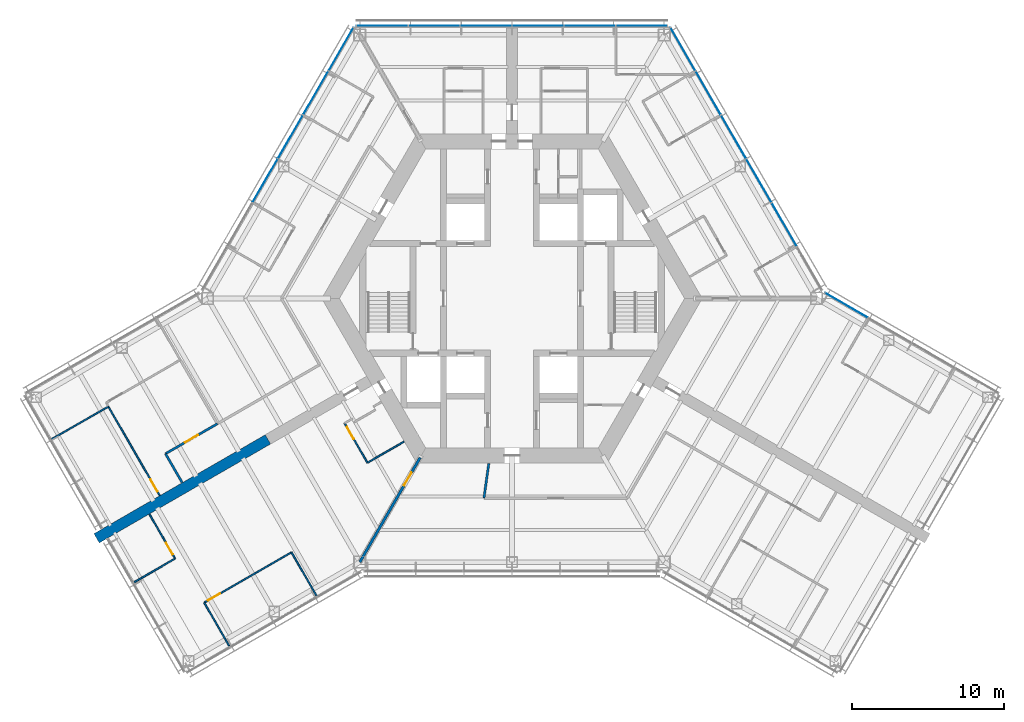
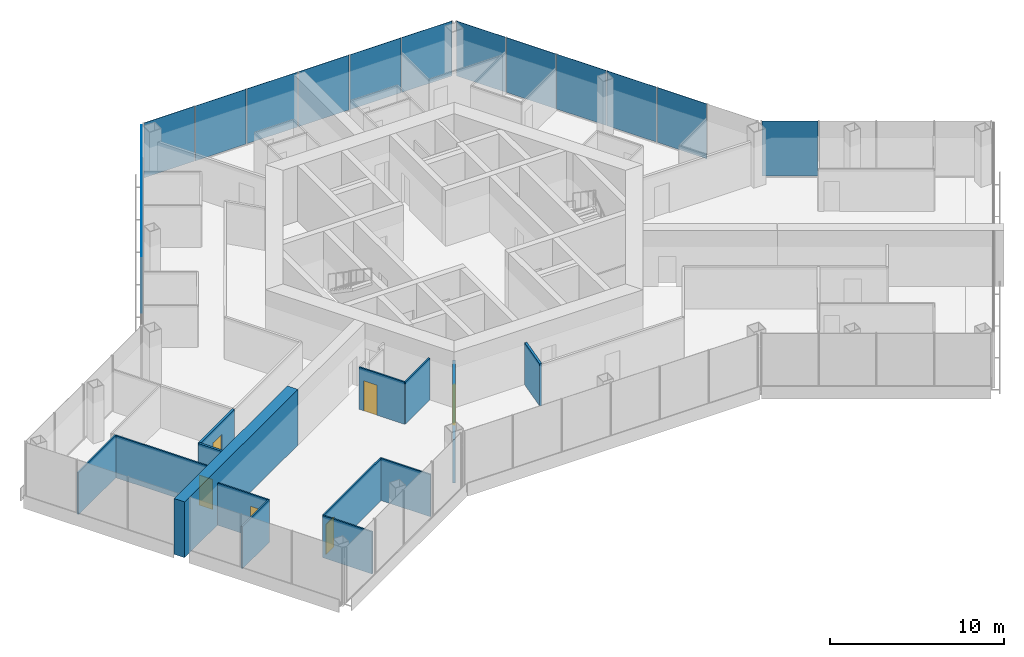
# One storey, part 11 of 18: 16 plates, 14 walls, 6 doors, 6 openings, 4 elements without a shape of their own.
"""IFC4 building model written with IfcOpenShell, lengths in metres."""

from ifc_helpers import new_model, si_unit, direction, frame, frame_2d, origin, origin_2d, place, context, subcontext, project, spatial, rectangle, extrude, material, layer, layer_set, type_object, element, fill, aggregate, save


model = new_model("IFC4")

# Units and contexts
model_context = context("Model", 3, precision=1e-05, world=origin(), true_north=direction((0.0, 1.0)))
body_context = subcontext(model_context, "Body", "Model", "MODEL_VIEW")
ifc_project = project(units=[si_unit("LENGTHUNIT", "METRE"), si_unit("AREAUNIT", "SQUARE_METRE"), si_unit("VOLUMEUNIT", "CUBIC_METRE"), si_unit("PLANEANGLEUNIT", "RADIAN"), si_unit("MASSUNIT", "GRAM", prefix="KILO")], contexts=[model_context])

# Site, building, storey
site_placement = place(None, origin())
site = spatial("IfcSite", under=ifc_project, at=site_placement, CompositionType="ELEMENT")
building_placement = place(site_placement, origin())
building = spatial("IfcBuilding", under=site, at=building_placement, Name="Kasaneha Research Tower", CompositionType="ELEMENT")
storey_placement = place(building_placement, frame((0.0, 0.0, 152.60009765625)))
storey = spatial("IfcBuildingStorey", under=building, at=storey_placement, Name="L38", CompositionType="ELEMENT", Elevation=152.60009765625)

# Curtain wall, plate
ifc_material_1 = material(Name="Glass and aluminium", Category="aluminium")
curtain_wall_type = type_object("IfcCurtainWallType", Name="Mid-rise office curtain wall", PredefinedType="USERDEFINED", material=ifc_material_1)
curtain_wall_1_placement = place(storey_placement, origin())
curtain_wall_1 = element("IfcCurtainWall", 1, at=curtain_wall_1_placement, inside=storey, type_object=curtain_wall_type, Name="CW-O2 L38 run 05a", ObjectType="UNITISED CURTAIN WALL", PredefinedType="USERDEFINED")
ifc_material_2 = material(Name="Laminated double glazing", Category="glass")
ifc_layer_1 = layer(ifc_material_2, 0.02587890625)
ifc_layer_set_1 = layer_set([ifc_layer_1], Name="CW-O2 glazed panel")
plate_type = type_object("IfcPlateType", Name="CW-O2 glazed panel", PredefinedType="CURTAIN_PANEL", material=ifc_layer_set_1)
plate_1_placement = place(storey_placement, frame((21.971923828125, -0.44580078125, 0.06005859375), z_axis=(0.0, 0.0, 1.0), x_axis=(-0.866025411464, 0.499999986699, 0.0)))
plate_1 = element("IfcPlate", 2, at=plate_1_placement, type_object=plate_type, Name="CW-O2 panel 4", PredefinedType="CURTAIN_PANEL", context=body_context, shape_type="SweptSolid", body=[
    extrude(rectangle(XDim=3.2197265625, YDim=0.02587890625, at=origin_2d()), origin(), (0.0, 0.0, 1.0), 3.840087890625),
])
aggregate(curtain_wall_1, [plate_1])

# Curtain wall, plates
curtain_wall_2_placement = place(storey_placement, origin())
curtain_wall_2 = element("IfcCurtainWall", 3, at=curtain_wall_2_placement, inside=storey, type_object=curtain_wall_type, Name="CW-O2 L38 run 06a", ObjectType="UNITISED CURTAIN WALL", PredefinedType="USERDEFINED")
plate_2_placement = place(storey_placement, frame((17.89111328125, 4.852783203125, 0.06005859375), z_axis=(0.0, 0.0, 1.0), x_axis=(-0.499999979232, 0.866025415775, 0.0)))
plate_2 = element("IfcPlate", 4, at=plate_2_placement, type_object=plate_type, Name="CW-O2 panel 2", PredefinedType="CURTAIN_PANEL", context=body_context, shape_type="SweptSolid", body=[
    extrude(rectangle(XDim=3.27099609375, YDim=0.02587890625, at=origin_2d()), origin(), (0.0, 0.0, 1.0), 3.840087890625),
])
plate_3_placement = place(storey_placement, frame((16.2255859375, 7.737548828125, 0.06005859375), z_axis=(0.0, 0.0, 1.0), x_axis=(-0.499999979232, 0.866025415775, 0.0)))
plate_3 = element("IfcPlate", 5, at=plate_3_placement, type_object=plate_type, Name="CW-O2 panel 3", PredefinedType="CURTAIN_PANEL", context=body_context, shape_type="SweptSolid", body=[
    extrude(rectangle(XDim=3.27099609375, YDim=0.02587890625, at=origin_2d()), origin(), (0.0, 0.0, 1.0), 3.840087890625),
])
plate_4_placement = place(storey_placement, frame((14.56005859375, 10.622314453125, 0.06005859375), z_axis=(0.0, 0.0, 1.0), x_axis=(-0.499999979232, 0.866025415775, 0.0)))
plate_4 = element("IfcPlate", 6, at=plate_4_placement, type_object=plate_type, Name="CW-O2 panel 4", PredefinedType="CURTAIN_PANEL", context=body_context, shape_type="SweptSolid", body=[
    extrude(rectangle(XDim=3.27099609375, YDim=0.02587890625, at=origin_2d()), origin(), (0.0, 0.0, 1.0), 3.840087890625),
])
plate_5_placement = place(storey_placement, frame((12.89453125, 13.5068359375, 0.06005859375), z_axis=(0.0, 0.0, 1.0), x_axis=(-0.499999979232, 0.866025415775, 0.0)))
plate_5 = element("IfcPlate", 7, at=plate_5_placement, type_object=plate_type, Name="CW-O2 panel 5", PredefinedType="CURTAIN_PANEL", context=body_context, shape_type="SweptSolid", body=[
    extrude(rectangle(XDim=3.27099609375, YDim=0.02587890625, at=origin_2d()), origin(), (0.0, 0.0, 1.0), 3.840087890625),
])
plate_6_placement = place(storey_placement, frame((11.236572265625, 16.378662109375, 0.06005859375), z_axis=(0.0, 0.0, 1.0), x_axis=(-0.499999979232, 0.866025415775, 0.0)))
plate_6 = element("IfcPlate", 8, at=plate_6_placement, type_object=plate_type, Name="CW-O2 panel 6", PredefinedType="CURTAIN_PANEL", context=body_context, shape_type="SweptSolid", body=[
    extrude(rectangle(XDim=3.240966796875, YDim=0.02587890625, at=origin_2d()), origin(), (0.0, 0.0, 1.0), 3.840087890625),
])
aggregate(curtain_wall_2, [plate_2, plate_3, plate_4, plate_5, plate_6])

curtain_wall_3_placement = place(storey_placement, origin())
curtain_wall_3 = element("IfcCurtainWall", 9, at=curtain_wall_3_placement, inside=storey, type_object=curtain_wall_type, Name="CW-O2 L38 run 07a", ObjectType="UNITISED CURTAIN WALL", PredefinedType="USERDEFINED")
plate_7_placement = place(storey_placement, frame((8.523681640625, 17.92041015625, 0.06005859375), z_axis=(0.0, 0.0, 1.0), x_axis=(-1.0, 0.0, 0.0)))
plate_7 = element("IfcPlate", 10, at=plate_7_placement, type_object=plate_type, Name="CW-O2 panel 1", PredefinedType="CURTAIN_PANEL", context=body_context, shape_type="SweptSolid", body=[
    extrude(rectangle(XDim=3.325439453125, YDim=0.02587890625, at=origin_2d()), origin(), (0.0, 0.0, 1.0), 3.840087890625),
])
plate_8_placement = place(storey_placement, frame((5.123291015625, 17.92041015625, 0.06005859375), z_axis=(0.0, 0.0, 1.0), x_axis=(-1.0, 0.0, 0.0)))
plate_8 = element("IfcPlate", 11, at=plate_8_placement, type_object=plate_type, Name="CW-O2 panel 2", PredefinedType="CURTAIN_PANEL", context=body_context, shape_type="SweptSolid", body=[
    extrude(rectangle(XDim=3.35546875, YDim=0.02587890625, at=origin_2d()), origin(), (0.0, 0.0, 1.0), 3.840087890625),
])
plate_9_placement = place(storey_placement, frame((1.707763671875, 17.92041015625, 0.06005859375), z_axis=(0.0, 0.0, 1.0), x_axis=(-1.0, 0.0, 0.0)))
plate_9 = element("IfcPlate", 12, at=plate_9_placement, type_object=plate_type, Name="CW-O2 panel 3", PredefinedType="CURTAIN_PANEL", context=body_context, shape_type="SweptSolid", body=[
    extrude(rectangle(XDim=3.35546875, YDim=0.02587890625, at=origin_2d()), origin(), (0.0, 0.0, 1.0), 3.840087890625),
])
plate_10_placement = place(storey_placement, frame((-1.707763671875, 17.92041015625, 0.06005859375), z_axis=(0.0, 0.0, 1.0), x_axis=(-1.0, 0.0, 0.0)))
plate_10 = element("IfcPlate", 13, at=plate_10_placement, type_object=plate_type, Name="CW-O2 panel 4", PredefinedType="CURTAIN_PANEL", context=body_context, shape_type="SweptSolid", body=[
    extrude(rectangle(XDim=3.35546875, YDim=0.02587890625, at=origin_2d()), origin(), (0.0, 0.0, 1.0), 3.840087890625),
])
plate_11_placement = place(storey_placement, frame((-5.123291015625, 17.92041015625, 0.06005859375), z_axis=(0.0, 0.0, 1.0), x_axis=(-1.0, 0.0, 0.0)))
plate_11 = element("IfcPlate", 14, at=plate_11_placement, type_object=plate_type, Name="CW-O2 panel 5", PredefinedType="CURTAIN_PANEL", context=body_context, shape_type="SweptSolid", body=[
    extrude(rectangle(XDim=3.35546875, YDim=0.02587890625, at=origin_2d()), origin(), (0.0, 0.0, 1.0), 3.840087890625),
])
plate_12_placement = place(storey_placement, frame((-8.523681640625, 17.92041015625, 0.06005859375), z_axis=(0.0, 0.0, 1.0), x_axis=(-1.0, 0.0, 0.0)))
plate_12 = element("IfcPlate", 15, at=plate_12_placement, type_object=plate_type, Name="CW-O2 panel 6", PredefinedType="CURTAIN_PANEL", context=body_context, shape_type="SweptSolid", body=[
    extrude(rectangle(XDim=3.325439453125, YDim=0.02587890625, at=origin_2d()), origin(), (0.0, 0.0, 1.0), 3.840087890625),
])
aggregate(curtain_wall_3, [plate_7, plate_8, plate_9, plate_10, plate_11, plate_12])

curtain_wall_4_placement = place(storey_placement, origin())
curtain_wall_4 = element("IfcCurtainWall", 16, at=curtain_wall_4_placement, inside=storey, type_object=curtain_wall_type, Name="CW-O2 L38 run 08a", ObjectType="UNITISED CURTAIN WALL", PredefinedType="USERDEFINED")
plate_13_placement = place(storey_placement, frame((-11.236572265625, 16.378662109375, 0.06005859375), z_axis=(0.0, 0.0, 1.0), x_axis=(-0.499999979232, -0.866025415775, 0.0)))
plate_13 = element("IfcPlate", 17, at=plate_13_placement, type_object=plate_type, Name="CW-O2 panel 1", PredefinedType="CURTAIN_PANEL", context=body_context, shape_type="SweptSolid", body=[
    extrude(rectangle(XDim=3.240966796875, YDim=0.02587890625, at=origin_2d()), origin(), (0.0, 0.0, 1.0), 3.840087890625),
])
plate_14_placement = place(storey_placement, frame((-12.89453125, 13.5068359375, 0.06005859375), z_axis=(0.0, 0.0, 1.0), x_axis=(-0.499999979232, -0.866025415775, 0.0)))
plate_14 = element("IfcPlate", 18, at=plate_14_placement, type_object=plate_type, Name="CW-O2 panel 2", PredefinedType="CURTAIN_PANEL", context=body_context, shape_type="SweptSolid", body=[
    extrude(rectangle(XDim=3.27099609375, YDim=0.02587890625, at=origin_2d()), origin(), (0.0, 0.0, 1.0), 3.840087890625),
])
plate_15_placement = place(storey_placement, frame((-14.56005859375, 10.622314453125, 0.06005859375), z_axis=(0.0, 0.0, 1.0), x_axis=(-0.499999979232, -0.866025415775, 0.0)))
plate_15 = element("IfcPlate", 19, at=plate_15_placement, type_object=plate_type, Name="CW-O2 panel 3", PredefinedType="CURTAIN_PANEL", context=body_context, shape_type="SweptSolid", body=[
    extrude(rectangle(XDim=3.27099609375, YDim=0.02587890625, at=origin_2d()), origin(), (0.0, 0.0, 1.0), 3.840087890625),
])
plate_16_placement = place(storey_placement, frame((-16.2255859375, 7.737548828125, 0.06005859375), z_axis=(0.0, 0.0, 1.0), x_axis=(-0.499999979232, -0.866025415775, 0.0)))
plate_16 = element("IfcPlate", 20, at=plate_16_placement, type_object=plate_type, Name="CW-O2 panel 4", PredefinedType="CURTAIN_PANEL", context=body_context, shape_type="SweptSolid", body=[
    extrude(rectangle(XDim=3.27099609375, YDim=0.02587890625, at=origin_2d()), origin(), (0.0, 0.0, 1.0), 3.840087890625),
])
aggregate(curtain_wall_4, [plate_13, plate_14, plate_15, plate_16])

# Wall
ifc_material_3 = material(Name="Gypsum board on steel studs, one layer each side", Category="steel")
ifc_layer_2 = layer(ifc_material_3, 0.10009765625)
ifc_layer_set_2 = layer_set([ifc_layer_2], Name="Office partition 100")
wall_type_1 = type_object("IfcWallType", Name="Office partition 100", PredefinedType="PARTITIONING", material=ifc_layer_set_2)
wall_1_placement = place(storey_placement, frame((-30.254150390625, -9.24951171875, 0.0), z_axis=(0.0, 0.0, 1.0), x_axis=(0.866678925358, 0.49886635519, 0.0)))
element("IfcWall", 21, at=wall_1_placement, inside=storey, type_object=wall_type_1, Name="Office partition FBN10 L38", PredefinedType="PARTITIONING", context=body_context, shape_type="SweptSolid", body=[
    extrude(rectangle(XDim=4.30517578125, YDim=0.10009765625, at=frame_2d((2.152587890625, 0.0))), origin(), (0.0, 0.0, 1.0), 2.949951171875),
])

# Wall, opening, door
wall_2_placement = place(storey_placement, frame((-26.529296875, -7.09912109375, 0.0), z_axis=(0.0, 0.0, 1.0), x_axis=(0.500544055966, -0.865711064985, 0.0)))
wall_2 = element("IfcWall", 22, at=wall_2_placement, inside=storey, type_object=wall_type_1, Name="Office partition FBN11 L38", PredefinedType="PARTITIONING", context=body_context, shape_type="SweptSolid", body=[
    extrude(rectangle(XDim=6.74658203125, YDim=0.10009765625, at=frame_2d((3.373291015625, 0.0))), origin(), (0.0, 0.0, 1.0), 2.949951171875),
])
opening_1_placement = place(wall_2_placement, frame((5.546630859375, 0.0, 0.0)))
opening_1 = element("IfcOpeningElement", 23, at=opening_1_placement, cuts=wall_2, Name="Opening L38-D37", PredefinedType="OPENING", context=body_context, shape_type="SweptSolid", body=[
    extrude(rectangle(XDim=0.89990234375, YDim=2.10009765625, at=frame_2d((0.449951171875, 1.050048828125))), frame((0.0, 0.06005859375, 0.0), z_axis=(0.0, -1.0, 0.0), x_axis=(1.0, 0.0, 0.0)), (0.0, 0.0, 1.0), 0.1201171875),
])
ifc_material_4 = material(Name="Timber veneer", Category="wood")
door_type_1 = type_object("IfcDoorType", Name="Office door 900x2100", OperationType="SINGLE_SWING_LEFT", PredefinedType="DOOR", material=ifc_material_4)
door_1_placement = place(opening_1_placement, origin())
door_1 = element("IfcDoor", 24, at=door_1_placement, inside=storey, type_object=door_type_1, Name="Meeting room door L38-D37", OperationType="SINGLE_SWING_RIGHT", OverallHeight=2.10009765625, OverallWidth=0.89990234375, PredefinedType="DOOR", context=body_context, shape_type="SweptSolid", body=[
    extrude(rectangle(XDim=0.89990234375, YDim=2.10009765625, at=frame_2d((0.449951171875, 1.050048828125))), frame((0.0, 0.02490234375, 0.0), z_axis=(0.0, -1.0, 0.0), x_axis=(1.0, 0.0, 0.0)), (0.0, 0.0, 1.0), 0.050048828125),
])
fill(opening_1, door_1)

wall_3_placement = place(storey_placement, frame((-9.49951171875, -10.796142578125, 0.0), z_axis=(0.0, 0.0, 1.0), x_axis=(-0.499990139034, 0.866031096941, 0.0)))
wall_3 = element("IfcWall", 25, at=wall_3_placement, inside=storey, type_object=wall_type_1, Name="Office partition FBS03 L38", PredefinedType="PARTITIONING", context=body_context, shape_type="SweptSolid", body=[
    extrude(rectangle(XDim=3.0, YDim=0.10009765625, at=frame_2d((1.5, 0.0))), origin(), (0.0, 0.0, 1.0), 2.949951171875),
])
opening_2_placement = place(wall_3_placement, frame((1.800048828125, 0.0, 0.0)))
opening_2 = element("IfcOpeningElement", 26, at=opening_2_placement, cuts=wall_3, Name="Opening L38-D40", PredefinedType="OPENING", context=body_context, shape_type="SweptSolid", body=[
    extrude(rectangle(XDim=0.89990234375, YDim=2.10009765625, at=frame_2d((0.449951171875, 1.050048828125))), frame((0.0, 0.06005859375, 0.0), z_axis=(0.0, -1.0, 0.0), x_axis=(1.0, 0.0, 0.0)), (0.0, 0.0, 1.0), 0.1201171875),
])
door_2_placement = place(opening_2_placement, origin())
door_2 = element("IfcDoor", 27, at=door_2_placement, inside=storey, type_object=door_type_1, Name="Pantry door L38-D40", OperationType="SINGLE_SWING_RIGHT", OverallHeight=2.10009765625, OverallWidth=0.89990234375, PredefinedType="DOOR", context=body_context, shape_type="SweptSolid", body=[
    extrude(rectangle(XDim=0.89990234375, YDim=2.10009765625, at=frame_2d((0.449951171875, 1.050048828125))), frame((0.0, 0.02490234375, 0.0), z_axis=(0.0, -1.0, 0.0), x_axis=(1.0, 0.0, 0.0)), (0.0, 0.0, 1.0), 0.050048828125),
])
fill(opening_2, door_2)

# Wall
wall_4_placement = place(storey_placement, frame((-7.092041015625, -9.40625, 0.0), z_axis=(0.0, 0.0, 1.0), x_axis=(-0.86603494908, -0.499983466698, 0.0)))
element("IfcWall", 28, at=wall_4_placement, inside=storey, type_object=wall_type_1, Name="Office partition FBS05 L38", PredefinedType="PARTITIONING", context=body_context, shape_type="SweptSolid", body=[
    extrude(rectangle(XDim=2.77978515625, YDim=0.10009765625, at=frame_2d((1.389892578125, 0.0))), origin(), (0.0, 0.0, 1.0), 2.949951171875),
])

# Wall, opening, door
wall_5_placement = place(storey_placement, frame((-20.22509765625, -19.99072265625, 0.0), z_axis=(0.0, 0.0, 1.0), x_axis=(0.866030817826, 0.499990622488, 0.0)))
wall_5 = element("IfcWall", 29, at=wall_5_placement, inside=storey, type_object=wall_type_1, Name="Office partition FBS06 L38", PredefinedType="PARTITIONING", context=body_context, shape_type="SweptSolid", body=[
    extrude(rectangle(XDim=6.619873046875, YDim=0.10009765625, at=frame_2d((3.31005859375, 0.0))), origin(), (0.0, 0.0, 1.0), 2.949951171875),
])
opening_3_placement = place(wall_5_placement, frame((0.300048828125, 0.0, 0.0)))
opening_3 = element("IfcOpeningElement", 30, at=opening_3_placement, cuts=wall_5, Name="Opening L38-D41", PredefinedType="OPENING", context=body_context, shape_type="SweptSolid", body=[
    extrude(rectangle(XDim=0.89990234375, YDim=2.10009765625, at=frame_2d((0.449951171875, 1.050048828125))), frame((0.0, 0.06005859375, 0.0), z_axis=(0.0, -1.0, 0.0), x_axis=(1.0, 0.0, 0.0)), (0.0, 0.0, 1.0), 0.1201171875),
])
door_3_placement = place(opening_3_placement, origin())
door_3 = element("IfcDoor", 31, at=door_3_placement, inside=storey, type_object=door_type_1, Name="Meeting room door L38-D41", OperationType="SINGLE_SWING_LEFT", OverallHeight=2.10009765625, OverallWidth=0.89990234375, PredefinedType="DOOR", context=body_context, shape_type="SweptSolid", body=[
    extrude(rectangle(XDim=0.89990234375, YDim=2.10009765625, at=frame_2d((0.449951171875, 1.050048828125))), frame((0.0, 0.02490234375, 0.0), z_axis=(0.0, -1.0, 0.0), x_axis=(1.0, 0.0, 0.0)), (0.0, 0.0, 1.0), 0.050048828125),
])
fill(opening_3, door_3)

# Walls
wall_6_placement = place(storey_placement, frame((-18.5849609375, -22.831298828125, 0.0), z_axis=(0.0, 0.0, 1.0), x_axis=(-0.50002956483, 0.866008333849, 0.0)))
element("IfcWall", 32, at=wall_6_placement, inside=storey, type_object=wall_type_1, Name="Office partition FBS07 L38", PredefinedType="PARTITIONING", context=body_context, shape_type="SweptSolid", body=[
    extrude(rectangle(XDim=3.280029296875, YDim=0.10009765625, at=frame_2d((1.64013671875, 0.0))), origin(), (0.0, 0.0, 1.0), 2.949951171875),
])
wall_7_placement = place(storey_placement, frame((-14.4921875, -16.680908203125, 0.0), z_axis=(0.0, 0.0, 1.0), x_axis=(0.500008057651, -0.866020751647, 0.0)))
element("IfcWall", 33, at=wall_7_placement, inside=storey, type_object=wall_type_1, Name="Office partition FBS08 L38", PredefinedType="PARTITIONING", context=body_context, shape_type="SweptSolid", body=[
    extrude(rectangle(XDim=3.30517578125, YDim=0.10009765625, at=frame_2d((1.652587890625, 0.0))), origin(), (0.0, 0.0, 1.0), 2.949951171875),
])

# Wall, opening, door
wall_8_placement = place(storey_placement, frame((-23.82177734375, -14.1806640625, 0.0), z_axis=(0.0, 0.0, 1.0), x_axis=(0.500034510166, -0.866005478414, 0.0)))
wall_8 = element("IfcWall", 34, at=wall_8_placement, inside=storey, type_object=wall_type_1, Name="Office partition FBS09 L38", PredefinedType="PARTITIONING", context=body_context, shape_type="SweptSolid", body=[
    extrude(rectangle(XDim=3.363525390625, YDim=0.10009765625, at=frame_2d((1.681640625, 0.0))), origin(), (0.0, 0.0, 1.0), 2.949951171875),
])
opening_4_placement = place(wall_8_placement, frame((2.163330078125, 0.0, 0.0)))
opening_4 = element("IfcOpeningElement", 35, at=opening_4_placement, cuts=wall_8, Name="Opening L38-D42", PredefinedType="OPENING", context=body_context, shape_type="SweptSolid", body=[
    extrude(rectangle(XDim=0.89990234375, YDim=2.10009765625, at=frame_2d((0.449951171875, 1.050048828125))), frame((0.0, 0.06005859375, 0.0), z_axis=(0.0, -1.0, 0.0), x_axis=(1.0, 0.0, 0.0)), (0.0, 0.0, 1.0), 0.1201171875),
])
door_4_placement = place(opening_4_placement, origin())
door_4 = element("IfcDoor", 36, at=door_4_placement, inside=storey, type_object=door_type_1, Name="Workroom door L38-D42", OperationType="SINGLE_SWING_RIGHT", OverallHeight=2.10009765625, OverallWidth=0.89990234375, PredefinedType="DOOR", context=body_context, shape_type="SweptSolid", body=[
    extrude(rectangle(XDim=0.89990234375, YDim=2.10009765625, at=frame_2d((0.449951171875, 1.050048828125))), frame((0.0, 0.02490234375, 0.0), z_axis=(0.0, -1.0, 0.0), x_axis=(1.0, 0.0, 0.0)), (0.0, 0.0, 1.0), 0.050048828125),
])
fill(opening_4, door_4)

# Walls
wall_9_placement = place(storey_placement, frame((-22.139892578125, -17.093505859375, 0.0), z_axis=(0.0, 0.0, 1.0), x_axis=(-0.866042875753, -0.499969736442, 0.0)))
element("IfcWall", 37, at=wall_9_placement, inside=storey, type_object=wall_type_1, Name="Office partition FBS10 L38", PredefinedType="PARTITIONING", context=body_context, shape_type="SweptSolid", body=[
    extrude(rectangle(XDim=3.105224609375, YDim=0.10009765625, at=frame_2d((1.552734375, 0.0))), origin(), (0.0, 0.0, 1.0), 2.949951171875),
])
ifc_material_5 = material(Name="Concrete Fc70", Category="concrete")
ifc_layer_3 = layer(ifc_material_5, 0.699951171875)
ifc_layer_set_3 = layer_set([ifc_layer_3], Name="Spine wall 700 Fc70")
wall_type_2 = type_object("IfcWallType", Name="Spine wall 700 Fc70", PredefinedType="SHEAR", material=ifc_layer_set_3)
wall_10_placement = place(storey_placement, frame((-16.039306640625, -9.26025390625, 0.0), z_axis=(0.0, 0.0, 1.0), x_axis=(-0.866024837091, -0.50000098154, 0.0)))
element("IfcWall", 38, at=wall_10_placement, inside=storey, type_object=wall_type_2, Name="Spine wall B wing L38", PredefinedType="SHEAR", context=body_context, shape_type="SweptSolid", body=[
    extrude(rectangle(XDim=13.0, YDim=0.699951171875, at=frame_2d((6.5, 0.0))), origin(), (0.0, 0.0, 1.0), 3.89990234375),
])

# Wall, opening, door
ifc_material_6 = material(Name="Gypsum board on steel studs, two layers each side", Category="steel")
ifc_layer_4 = layer(ifc_material_6, 0.14990234375)
ifc_layer_set_4 = layer_set([ifc_layer_4], Name="Suite partition 150")
wall_type_3 = type_object("IfcWallType", Name="Suite partition 150", PredefinedType="PARTITIONING", material=ifc_layer_set_4)
wall_11_placement = place(storey_placement, frame((-22.770263671875, -10.201904296875, 0.0), z_axis=(0.0, 0.0, 1.0), x_axis=(0.866027491634, 0.499996383721, 0.0)))
wall_11 = element("IfcWall", 39, at=wall_11_placement, inside=storey, type_object=wall_type_3, Name="Suite partition FBN05 L38", PredefinedType="PARTITIONING", context=body_context, shape_type="SweptSolid", body=[
    extrude(rectangle(XDim=3.9345703125, YDim=0.14990234375, at=frame_2d((1.96728515625, 0.0))), origin(), (0.0, 0.0, 1.0), 2.949951171875),
])
opening_5_placement = place(wall_11_placement, frame((1.46728515625, 0.0, 0.0)))
opening_5 = element("IfcOpeningElement", 40, at=opening_5_placement, cuts=wall_11, Name="Opening L38-D35", PredefinedType="OPENING", context=body_context, shape_type="SweptSolid", body=[
    extrude(rectangle(XDim=1.0, YDim=2.10009765625, at=frame_2d((0.5, 1.050048828125))), frame((0.0, 0.0849609375, 0.0), z_axis=(0.0, -1.0, 0.0), x_axis=(1.0, 0.0, 0.0)), (0.0, 0.0, 1.0), 0.169921875),
])
ifc_material_7 = material(Name="Steel", Category="steel")
door_type_2 = type_object("IfcDoorType", Name="Suite entrance door FD60 1000x2100", OperationType="NOTDEFINED", PredefinedType="DOOR", material=ifc_material_7)
door_5_placement = place(opening_5_placement, origin())
door_5 = element("IfcDoor", 41, at=door_5_placement, inside=storey, type_object=door_type_2, Name="Suite entrance door L38-D35", OperationType="SINGLE_SWING_RIGHT", OverallHeight=2.10009765625, OverallWidth=1.0, PredefinedType="DOOR", context=body_context, shape_type="SweptSolid", body=[
    extrude(rectangle(XDim=1.0, YDim=2.10009765625, at=frame_2d((0.5, 1.050048828125))), frame((0.0, 0.02490234375, 0.0), z_axis=(0.0, -1.0, 0.0), x_axis=(1.0, 0.0, 0.0)), (0.0, 0.0, 1.0), 0.050048828125),
])
fill(opening_5, door_5)

# Walls
wall_12_placement = place(storey_placement, frame((-21.68017578125, -12.08984375, 0.0), z_axis=(0.0, 0.0, 1.0), x_axis=(-0.500029427677, 0.866008413041, 0.0)))
element("IfcWall", 42, at=wall_12_placement, inside=storey, type_object=wall_type_3, Name="Suite partition FBN06 L38", PredefinedType="PARTITIONING", context=body_context, shape_type="SweptSolid", body=[
    extrude(rectangle(XDim=2.179931640625, YDim=0.14990234375, at=frame_2d((1.08984375, 0.0))), origin(), (0.0, 0.0, 1.0), 2.949951171875),
])
wall_13_placement = place(storey_placement, frame((-1.844482421875, -13.125, 0.0), z_axis=(0.0, 0.0, 1.0), x_axis=(0.139119980631, 0.990275532864, 0.0)))
element("IfcWall", 43, at=wall_13_placement, inside=storey, type_object=wall_type_3, Name="Suite partition FCS01 L38", PredefinedType="PARTITIONING", context=body_context, shape_type="SweptSolid", body=[
    extrude(rectangle(XDim=2.302490234375, YDim=0.14990234375, at=frame_2d((1.1513671875, 0.0))), origin(), (0.0, 0.0, 1.0), 2.949951171875),
])

# Wall, opening, door
ifc_material_8 = material(Name="Gypsum board on steel studs, two layers each side", Category="steel")
ifc_layer_5 = layer(ifc_material_8, 0.175048828125)
ifc_layer_set_5 = layer_set([ifc_layer_5], Name="Tenancy fire partition 175")
wall_type_4 = type_object("IfcWallType", Name="Tenancy fire partition 175", PredefinedType="PARTITIONING", material=ifc_layer_set_5)
wall_14_placement = place(storey_placement, frame((-6.034912109375, -10.45263671875, 0.0), z_axis=(0.0, 0.0, 1.0), x_axis=(-0.499989830942, -0.866031274813, 0.0)))
wall_14 = element("IfcWall", 44, at=wall_14_placement, inside=storey, type_object=wall_type_4, Name="Tenancy fire partition T240 L38", PredefinedType="PARTITIONING", context=body_context, shape_type="SweptSolid", body=[
    extrude(rectangle(XDim=7.930419921875, YDim=0.175048828125, at=frame_2d((3.96533203125, 0.0))), origin(), (0.0, 0.0, 1.0), 3.0498046875),
])
opening_6_placement = place(wall_14_placement, frame((1.1298828125, 0.0, 0.0)))
opening_6 = element("IfcOpeningElement", 45, at=opening_6_placement, cuts=wall_14, Name="Opening L38-D25", PredefinedType="OPENING", context=body_context, shape_type="SweptSolid", body=[
    extrude(rectangle(XDim=1.0, YDim=2.10009765625, at=frame_2d((0.5, 1.050048828125))), frame((0.0, 0.09765625, 0.0), z_axis=(0.0, -1.0, 0.0), x_axis=(1.0, 0.0, 0.0)), (0.0, 0.0, 1.0), 0.195068359375),
])
door_6_placement = place(opening_6_placement, origin())
door_6 = element("IfcDoor", 46, at=door_6_placement, inside=storey, type_object=door_type_2, Name="Connecting door L38-D25", OperationType="SINGLE_SWING_LEFT", OverallHeight=2.10009765625, OverallWidth=1.0, PredefinedType="DOOR", context=body_context, shape_type="SweptSolid", body=[
    extrude(rectangle(XDim=1.0, YDim=2.10009765625, at=frame_2d((0.5, 1.050048828125))), frame((0.0, 0.02490234375, 0.0), z_axis=(0.0, -1.0, 0.0), x_axis=(1.0, 0.0, 0.0)), (0.0, 0.0, 1.0), 0.050048828125),
])
fill(opening_6, door_6)

save(model, "model.ifc")
